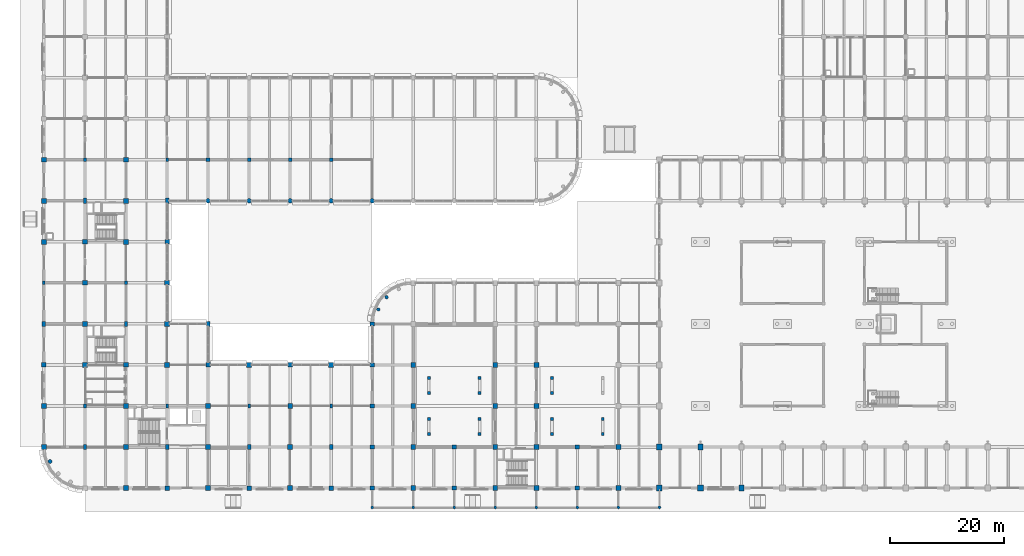
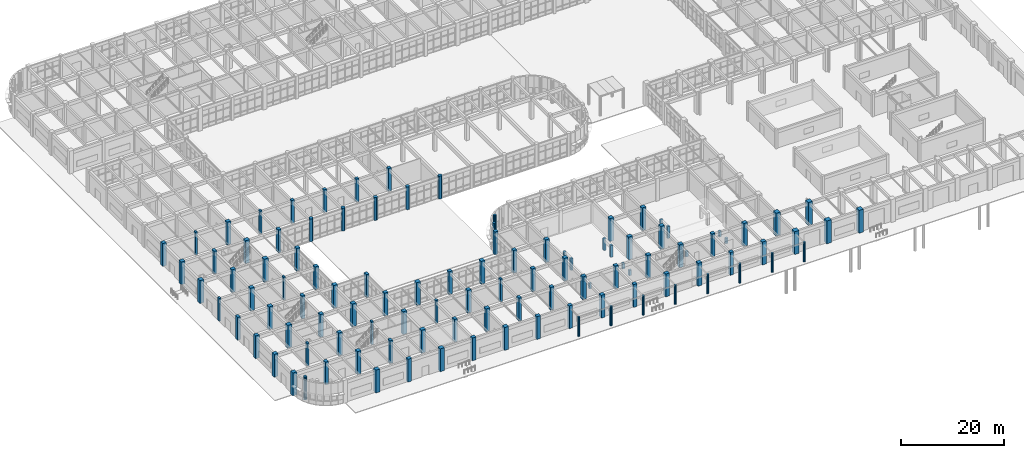
# One storey, part 3 of 160: 113 columns.
"""IFC4 building model written with IfcOpenShell, lengths in metres."""

import ifcopenshell
import ifcopenshell.guid

model = None  # the IFC model being written
_history = None  # IfcOwnerHistory: only IFC2X3 demands one
_inside = {}  # id of a spatial element -> (the spatial element, [elements in it])
_under = {}  # id of a project, library or spatial element -> (it, [spatial elements below it])
_declared = {}  # id of a project -> (the project, [libraries it declares])
_typed = {}  # id of a type object -> (the type object, [elements of that type])
_made_of = {}  # id of a material, layer set ... -> (it, [elements and type objects made of it])


def new_model(schema):
    """Start an empty IFC model of exactly this schema.

    Asked for "IFC4X3", IfcOpenShell would pick the latest addendum, in which some entities
    have other attributes; the version numbers below select the first issue.
    IFC2X3 requires an IfcOwnerHistory on every rooted entity: one is made here for all.
    """
    global model, _history
    if schema == "IFC4X3":
        model = ifcopenshell.file(schema_version=(4, 3, 0, 0))
    else:
        model = ifcopenshell.file(schema=schema)
    _inside.clear()
    _under.clear()
    _declared.clear()
    _typed.clear()
    _made_of.clear()
    _history = None
    if model.schema == "IFC2X3":
        org = make("IfcOrganization", Name="unknown")
        user = make(
            "IfcPersonAndOrganization",
            ThePerson=make("IfcPerson", FamilyName="unknown"),
            TheOrganization=org,
        )
        app = make(
            "IfcApplication",
            ApplicationDeveloper=org,
            Version="unknown",
            ApplicationFullName="unknown",
            ApplicationIdentifier="unknown",
        )
        _history = make(
            "IfcOwnerHistory",
            OwningUser=user,
            OwningApplication=app,
            ChangeAction="ADDED",
            CreationDate=0,
        )
    return model


def make(cls, **values):
    """One entity of the class cls with the attributes given. An attribute that is None is left unset."""
    return model.create_entity(
        cls, **{name: value for name, value in values.items() if value is not None}
    )


def rooted(cls, **values):
    """An entity with a GlobalId (a new one), such as an element, a storey or a relation."""
    return make(cls, GlobalId=ifcopenshell.guid.new(), OwnerHistory=_history, **values)


def si_unit(unit_type, name, prefix=None):
    """IfcSIUnit, for example si_unit("LENGTHUNIT", "METRE", prefix="MILLI")."""
    return make("IfcSIUnit", UnitType=unit_type, Prefix=prefix, Name=name)


def assignment(units):
    """IfcUnitAssignment: the units of a project."""
    return None if units is None else make("IfcUnitAssignment", Units=units)


def point(xyz):
    """IfcCartesianPoint."""
    return None if xyz is None else make("IfcCartesianPoint", Coordinates=xyz)


def direction(xyz):
    """IfcDirection."""
    return None if xyz is None else make("IfcDirection", DirectionRatios=xyz)


def frame(location, z_axis=None, x_axis=None):
    """IfcAxis2Placement3D, a coordinate frame: its origin and axes. An axis left out is left unset."""
    return make(
        "IfcAxis2Placement3D",
        Location=point(location),
        Axis=direction(z_axis),
        RefDirection=direction(x_axis),
    )


def frame_2d(location, x_axis=None):
    """IfcAxis2Placement2D, a coordinate frame in the plane: its origin and x axis."""
    return make(
        "IfcAxis2Placement2D", Location=point(location), RefDirection=direction(x_axis)
    )


def origin():
    """The frame at (0, 0, 0) with its axes left unset."""
    return frame((0.0, 0.0, 0.0))


def origin_2d():
    """The frame at (0, 0) in the plane with its x axis left unset."""
    return frame_2d((0.0, 0.0))


def place(relative_to, where):
    """IfcLocalPlacement: puts the frame where relative to a parent placement (None: the world)."""
    return make(
        "IfcLocalPlacement", PlacementRelTo=relative_to, RelativePlacement=where
    )


def context(
    kind, dimensions, precision=None, world=None, true_north=None, identifier=None
):
    """IfcGeometricRepresentationContext, for example the 3D "Model" context."""
    return make(
        "IfcGeometricRepresentationContext",
        ContextIdentifier=identifier,
        ContextType=kind,
        CoordinateSpaceDimension=dimensions,
        Precision=precision,
        WorldCoordinateSystem=world,
        TrueNorth=true_north,
    )


def subcontext(parent, identifier, kind, view, scale=None):
    """IfcGeometricRepresentationSubContext, for example "Body" below "Model"."""
    return make(
        "IfcGeometricRepresentationSubContext",
        ContextIdentifier=identifier,
        ContextType=kind,
        ParentContext=parent,
        TargetScale=scale,
        TargetView=view,
    )


def project(units=None, contexts=None):
    """IfcProject with its units and contexts."""
    return rooted(
        "IfcProject",
        Name="project",
        RepresentationContexts=contexts,
        UnitsInContext=assignment(units),
    )


def spatial(cls, under=None, at=None, **own):
    """A site, building, storey or space (cls), placed at a placement, below another one or the project."""
    s = rooted(cls, ObjectPlacement=at, **own)
    if under is not None:
        _under.setdefault(under.id(), (under, []))[1].append(s)
    return s


def profile(cls, at=None, kind="AREA", **sizes):
    """A parametric profile (cls). Its sizes go by their IFC names, for example OverallWidth=200.0."""
    return make(cls, ProfileType=kind, Position=at, **sizes)


def rectangle(**sizes):
    """IfcRectangleProfileDef."""
    return profile("IfcRectangleProfileDef", **sizes)


def circle(**sizes):
    """IfcCircleProfileDef."""
    return profile("IfcCircleProfileDef", **sizes)


def extrude(swept, where, along, depth):
    """IfcExtrudedAreaSolid: the profile swept, set in the frame where, extruded along a direction by depth."""
    return make(
        "IfcExtrudedAreaSolid",
        SweptArea=swept,
        Position=where,
        ExtrudedDirection=direction(along),
        Depth=depth,
    )


def shape(context_of_items, identifier, shape_type, items):
    """IfcShapeRepresentation: the items that make up one representation, for example the "Body"."""
    return make(
        "IfcShapeRepresentation",
        ContextOfItems=context_of_items,
        RepresentationIdentifier=identifier,
        RepresentationType=shape_type,
        Items=items,
    )


def material(Name=None, Category=None):
    """IfcMaterial."""
    return make("IfcMaterial", Name=Name, Category=Category)


def material_profile(
    of_material, cross_section, Name=None, Category=None, Priority=None
):
    """IfcMaterialProfile: a cross section and its material."""
    return make(
        "IfcMaterialProfile",
        Name=Name,
        Material=of_material,
        Profile=cross_section,
        Priority=Priority,
        Category=Category,
    )


def profile_set(profiles, Name=None, composite=None):
    """IfcMaterialProfileSet."""
    return make(
        "IfcMaterialProfileSet",
        Name=Name,
        MaterialProfiles=profiles,
        CompositeProfile=composite,
    )


def made_of(thing, what):
    """Note that an element or type object is made of a material, layer set ...; save() writes the relation."""
    if what is not None:
        _made_of.setdefault(what.id(), (what, []))[1].append(thing)
    return thing


def type_object(cls, material=None, **own):
    """A type object (cls), such as IfcWallType, which elements share."""
    return made_of(rooted(cls, **own), material)


def element(
    cls,
    number,
    at=None,
    inside=None,
    cuts=None,
    type_object=None,
    material=None,
    context=None,
    identifier="Body",
    shape_type=None,
    held_by="IfcProductDefinitionShape",
    body=None,
    shapes=None,
    **own,
):
    """One element of the class cls, such as IfcWall. Its Tag is "e" and its number.

    at: its placement. inside: the storey or other place that contains it. cuts: it is an
    opening in that element (IfcRelVoidsElement). A single representation is given by context,
    identifier, shape_type and body (its items); several are given by shapes. held_by: the class
    of the entity that holds the representations. save() writes the other relations.
    """
    e = rooted(cls, Tag="e%d" % number, ObjectPlacement=at, **own)
    if body is not None:
        shapes = [shape(context, identifier, shape_type, body)]
    if shapes is not None:
        e.Representation = make(held_by, Representations=shapes)
    if inside is not None:
        _inside.setdefault(inside.id(), (inside, []))[1].append(e)
    if cuts is not None:
        rooted(
            "IfcRelVoidsElement", RelatingBuildingElement=cuts, RelatedOpeningElement=e
        )
    if type_object is not None:
        _typed.setdefault(type_object.id(), (type_object, []))[1].append(e)
    return made_of(e, material)


def aggregate(whole, parts):
    """IfcRelAggregates: a whole, such as a stair, and the parts it consists of."""
    return rooted("IfcRelAggregates", RelatingObject=whole, RelatedObjects=parts)


def save(model, path):
    """Write the relations noted so far, then the file.

    IfcRelAggregates (storeys below a building ...), IfcRelContainedInSpatialStructure (elements
    in a storey), IfcRelDefinesByType, IfcRelAssociatesMaterial and IfcRelDeclares: one each for
    every whole, place, type object, material and project.
    """
    for whole, parts in _under.values():
        aggregate(whole, parts)
    for where, things in _inside.values():
        rooted(
            "IfcRelContainedInSpatialStructure",
            RelatedElements=things,
            RelatingStructure=where,
        )
    for kind, things in _typed.values():
        rooted("IfcRelDefinesByType", RelatedObjects=things, RelatingType=kind)
    for what, things in _made_of.values():
        rooted("IfcRelAssociatesMaterial", RelatedObjects=things, RelatingMaterial=what)
    for by, libraries in _declared.values():
        rooted("IfcRelDeclares", RelatingContext=by, RelatedDefinitions=libraries)
    model.write(path)


model = new_model("IFC4")

# Units and contexts
model_context = context("Model", 3, precision=1e-05, world=origin(), true_north=direction((0.0, 1.0)))
body_context = subcontext(model_context, "Body", "Model", "MODEL_VIEW")
ifc_project = project(units=[si_unit("LENGTHUNIT", "METRE"), si_unit("AREAUNIT", "SQUARE_METRE"), si_unit("VOLUMEUNIT", "CUBIC_METRE"), si_unit("PLANEANGLEUNIT", "RADIAN"), si_unit("MASSUNIT", "GRAM", prefix="KILO")], contexts=[model_context])

# Site, building, storey
site_placement = place(None, origin())
site = spatial("IfcSite", under=ifc_project, at=site_placement, CompositionType="ELEMENT")
building_placement = place(site_placement, origin())
building = spatial("IfcBuilding", under=site, at=building_placement, Name="Thalmaran Polytechnic", CompositionType="ELEMENT")
storey_placement = place(building_placement, origin())
storey = spatial("IfcBuildingStorey", under=building, at=storey_placement, Name="L00", CompositionType="ELEMENT", Elevation=0.0)

# Columns
ifc_material_1 = material(Name="Concrete C40/50", Category="concrete")
ifc_material_profile_1 = material_profile(ifc_material_1, circle(Radius=0.25, at=origin_2d()), Name="RC 500 DIA")
ifc_profile_set_1 = profile_set([ifc_material_profile_1], Name="Concrete C40/50")
column_type_1 = type_object("IfcColumnType", Name="COL-AC1", PredefinedType="COLUMN", material=ifc_profile_set_1)
for number, where, z_axis, x_axis, name in (
    (1, (57.60009765625, -3.39990234375, 0.0), (0.0, 0.0, 1.0), (1.0, 0.0, 0.0), "South Arcade Column S0"),
    (2, (64.800048828125, -3.39990234375, 0.0), (0.0, 0.0, 1.0), (1.0, 0.0, 0.0), "South Arcade Column S1"),
    (3, (72.0, -3.39990234375, 0.0), (0.0, 0.0, 1.0), (1.0, 0.0, 0.0), "South Arcade Column S2"),
    (4, (79.199951171875, -3.39990234375, 0.0), (0.0, 0.0, 1.0), (1.0, 0.0, 0.0), "South Arcade Column S3"),
    (5, (86.39990234375, -3.39990234375, 0.0), (0.0, 0.0, 1.0), (1.0, 0.0, 0.0), "South Arcade Column S4"),
    (6, (93.60009765625, -3.39990234375, 0.0), (0.0, 0.0, 1.0), (1.0, 0.0, 0.0), "South Arcade Column S5"),
    (7, (100.800048828125, -3.39990234375, 0.0), (0.0, 0.0, 1.0), (1.0, 0.0, 0.0), "South Arcade Column S6"),
    (8, (108.0, -3.39990234375, 0.0), (0.0, 0.0, 1.0), (1.0, 0.0, 0.0), "South Arcade Column S7"),
):
    element("IfcColumn", number, at=place(storey_placement, frame(where, z_axis=z_axis, x_axis=x_axis)), inside=storey, type_object=column_type_1, Name=name, PredefinedType="COLUMN", context=body_context, shape_type="SweptSolid", body=[
        extrude(circle(Radius=0.25, at=origin_2d()), origin(), (0.0, 0.0, 1.0), 4.60009765625),
    ])
ifc_material_2 = material(Name="Concrete C50/60", Category="concrete")
ifc_material_profile_2 = material_profile(ifc_material_2, rectangle(XDim=0.89990234375, YDim=0.89990234375, at=origin_2d()), Name="RC 900x900")
ifc_profile_set_2 = profile_set([ifc_material_profile_2], Name="Concrete C50/60")
column_type_2 = type_object("IfcColumnType", Name="COL-C01", PredefinedType="COLUMN", material=ifc_profile_set_2)
for number, where, z_axis, x_axis, name in (
    (9, (0.0, 43.199951171875, 0.0), (0.0, 0.0, 1.0), (1.0, 0.0, 0.0), "Column C01 L00 (0,6)"),
    (10, (7.199951171875, 21.60009765625, 0.0), (0.0, 0.0, 1.0), (1.0, 0.0, 0.0), "Column C01 L00 (1,3)"),
    (11, (14.39990234375, 0.0, 0.0), (0.0, 0.0, 1.0), (1.0, 0.0, 0.0), "Column C01 L00 (2,0)"),
    (12, (14.39990234375, 43.199951171875, 0.0), (0.0, 0.0, 1.0), (1.0, 0.0, 0.0), "Column C01 L00 (2,6)"),
    (13, (21.60009765625, 21.60009765625, 0.0), (0.0, 0.0, 1.0), (1.0, 0.0, 0.0), "Column C01 L00 (3,3)"),
    (14, (28.800048828125, 0.0, 0.0), (0.0, 0.0, 1.0), (1.0, 0.0, 0.0), "Column C01 L00 (4,0)"),
    (15, (36.0, 21.60009765625, 0.0), (0.0, 0.0, 1.0), (1.0, 0.0, 0.0), "Column C01 L00 (5,3)"),
    (16, (43.199951171875, 0.0, 0.0), (0.0, 0.0, 1.0), (1.0, 0.0, 0.0), "Column C01 L00 (6,0)"),
    (17, (50.39990234375, 21.60009765625, 0.0), (0.0, 0.0, 1.0), (1.0, 0.0, 0.0), "Column C01 L00 (7,3)"),
):
    element("IfcColumn", number, at=place(storey_placement, frame(where, z_axis=z_axis, x_axis=x_axis)), inside=storey, type_object=column_type_2, Name=name, PredefinedType="COLUMN", context=body_context, shape_type="SweptSolid", body=[
        extrude(rectangle(XDim=0.89990234375, YDim=0.89990234375, at=origin_2d()), origin(), (0.0, 0.0, 1.0), 5.39990234375),
    ])
ifc_material_profile_3 = material_profile(ifc_material_2, rectangle(XDim=0.85009765625, YDim=0.85009765625, at=origin_2d()), Name="RC 850x850")
ifc_profile_set_3 = profile_set([ifc_material_profile_3], Name="Concrete C50/60")
column_type_3 = type_object("IfcColumnType", Name="COL-C02", PredefinedType="COLUMN", material=ifc_profile_set_3)
for number, where, z_axis, x_axis, name in (
    (18, (64.800048828125, 0.0, 0.0), (0.0, 0.0, 1.0), (1.0, 0.0, 0.0), "Column C02 L00 (9,0)"),
    (19, (64.800048828125, 7.199951171875, 0.0), (0.0, 0.0, 1.0), (1.0, 0.0, 0.0), "Column C02 L00 (9,1)"),
    (20, (64.800048828125, 14.39990234375, 0.0), (0.0, 0.0, 1.0), (1.0, 0.0, 0.0), "Column C02 L00 (9,2)"),
    (21, (64.800048828125, 21.60009765625, 0.0), (0.0, 0.0, 1.0), (1.0, 0.0, 0.0), "Column C02 L00 (9,3)"),
    (22, (79.199951171875, 0.0, 0.0), (0.0, 0.0, 1.0), (1.0, 0.0, 0.0), "Column C02 L00 (11,0)"),
    (23, (79.199951171875, 7.199951171875, 0.0), (0.0, 0.0, 1.0), (1.0, 0.0, 0.0), "Column C02 L00 (11,1)"),
    (24, (79.199951171875, 14.39990234375, 0.0), (0.0, 0.0, 1.0), (1.0, 0.0, 0.0), "Column C02 L00 (11,2)"),
    (25, (79.199951171875, 21.60009765625, 0.0), (0.0, 0.0, 1.0), (1.0, 0.0, 0.0), "Column C02 L00 (11,3)"),
    (26, (86.39990234375, 0.0, 0.0), (0.0, 0.0, 1.0), (1.0, 0.0, 0.0), "Column C02 L00 (12,0)"),
    (27, (86.39990234375, 7.199951171875, 0.0), (0.0, 0.0, 1.0), (1.0, 0.0, 0.0), "Column C02 L00 (12,1)"),
    (28, (86.39990234375, 14.39990234375, 0.0), (0.0, 0.0, 1.0), (1.0, 0.0, 0.0), "Column C02 L00 (12,2)"),
    (29, (86.39990234375, 21.60009765625, 0.0), (0.0, 0.0, 1.0), (1.0, 0.0, 0.0), "Column C02 L00 (12,3)"),
    (30, (100.800048828125, 0.0, 0.0), (0.0, 0.0, 1.0), (1.0, 0.0, 0.0), "Column C02 L00 (14,0)"),
    (31, (100.800048828125, 7.199951171875, 0.0), (0.0, 0.0, 1.0), (1.0, 0.0, 0.0), "Column C02 L00 (14,1)"),
):
    element("IfcColumn", number, at=place(storey_placement, frame(where, z_axis=z_axis, x_axis=x_axis)), inside=storey, type_object=column_type_3, Name=name, PredefinedType="COLUMN", context=body_context, shape_type="SweptSolid", body=[
        extrude(rectangle(XDim=0.85009765625, YDim=0.85009765625, at=origin_2d()), origin(), (0.0, 0.0, 1.0), 5.39990234375),
    ])
ifc_material_profile_4 = material_profile(ifc_material_2, rectangle(XDim=0.800048828125, YDim=0.800048828125, at=origin_2d()), Name="RC 800x800")
ifc_profile_set_4 = profile_set([ifc_material_profile_4], Name="Concrete C50/60")
column_type_4 = type_object("IfcColumnType", Name="COL-C03", PredefinedType="COLUMN", material=ifc_profile_set_4)
for number, where, z_axis, x_axis, name in (
    (32, (0.0, 21.60009765625, 0.0), (0.0, 0.0, 1.0), (1.0, 0.0, 0.0), "Column C03 L00 (0,3)"),
    (33, (7.199951171875, 43.199951171875, 0.0), (0.0, 0.0, 1.0), (1.0, 0.0, 0.0), "Column C03 L00 (1,6)"),
    (34, (14.39990234375, 21.60009765625, 0.0), (0.0, 0.0, 1.0), (1.0, 0.0, 0.0), "Column C03 L00 (2,3)"),
    (35, (21.60009765625, 0.0, 0.0), (0.0, 0.0, 1.0), (1.0, 0.0, 0.0), "Column C03 L00 (3,0)"),
    (36, (21.60009765625, 43.199951171875, 0.0), (0.0, 0.0, 1.0), (1.0, 0.0, 0.0), "Column C03 L00 (3,6)"),
    (37, (28.800048828125, 21.60009765625, 0.0), (0.0, 0.0, 1.0), (1.0, 0.0, 0.0), "Column C03 L00 (4,3)"),
    (38, (36.0, 0.0, 0.0), (0.0, 0.0, 1.0), (1.0, 0.0, 0.0), "Column C03 L00 (5,0)"),
    (39, (43.199951171875, 21.60009765625, 0.0), (0.0, 0.0, 1.0), (1.0, 0.0, 0.0), "Column C03 L00 (6,3)"),
    (40, (50.39990234375, 0.0, 0.0), (0.0, 0.0, 1.0), (1.0, 0.0, 0.0), "Column C03 L00 (7,0)"),
):
    element("IfcColumn", number, at=place(storey_placement, frame(where, z_axis=z_axis, x_axis=x_axis)), inside=storey, type_object=column_type_4, Name=name, PredefinedType="COLUMN", context=body_context, shape_type="SweptSolid", body=[
        extrude(rectangle(XDim=0.800048828125, YDim=0.800048828125, at=origin_2d()), origin(), (0.0, 0.0, 1.0), 5.39990234375),
    ])
ifc_material_profile_5 = material_profile(ifc_material_2, rectangle(XDim=0.75, YDim=0.75, at=origin_2d()), Name="RC 750x750")
ifc_profile_set_5 = profile_set([ifc_material_profile_5], Name="Concrete C50/60")
column_type_5 = type_object("IfcColumnType", Name="COL-C04", PredefinedType="COLUMN", material=ifc_profile_set_5)
for number, where, z_axis, x_axis, name in (
    (41, (57.60009765625, 0.0, 0.0), (0.0, 0.0, 1.0), (1.0, 0.0, 0.0), "Column C04 L00 (8,0)"),
    (42, (57.60009765625, 7.199951171875, 0.0), (0.0, 0.0, 1.0), (1.0, 0.0, 0.0), "Column C04 L00 (8,1)"),
    (43, (57.60009765625, 14.39990234375, 0.0), (0.0, 0.0, 1.0), (1.0, 0.0, 0.0), "Column C04 L00 (8,2)"),
    (44, (57.60009765625, 21.60009765625, 0.0), (0.0, 0.0, 1.0), (1.0, 0.0, 0.0), "Column C04 L00 (8,3)"),
    (45, (57.60009765625, 28.800048828125, 0.0), (0.0, 0.0, 1.0), (1.0, 0.0, 0.0), "Column C04 L00 (8,4)"),
    (46, (72.0, 0.0, 0.0), (0.0, 0.0, 1.0), (1.0, 0.0, 0.0), "Column C04 L00 (10,0)"),
    (47, (72.0, 7.199951171875, 0.0), (0.0, 0.0, 1.0), (1.0, 0.0, 0.0), "Column C04 L00 (10,1)"),
    (48, (93.60009765625, 0.0, 0.0), (0.0, 0.0, 1.0), (1.0, 0.0, 0.0), "Column C04 L00 (13,0)"),
    (49, (93.60009765625, 7.199951171875, 0.0), (0.0, 0.0, 1.0), (1.0, 0.0, 0.0), "Column C04 L00 (13,1)"),
):
    element("IfcColumn", number, at=place(storey_placement, frame(where, z_axis=z_axis, x_axis=x_axis)), inside=storey, type_object=column_type_5, Name=name, PredefinedType="COLUMN", context=body_context, shape_type="SweptSolid", body=[
        extrude(rectangle(XDim=0.75, YDim=0.75, at=origin_2d()), origin(), (0.0, 0.0, 1.0), 5.39990234375),
    ])
ifc_material_profile_6 = material_profile(ifc_material_1, rectangle(XDim=0.64990234375, YDim=0.64990234375, at=origin_2d()), Name="RC 650x650")
ifc_profile_set_6 = profile_set([ifc_material_profile_6], Name="Concrete C40/50")
column_type_6 = type_object("IfcColumnType", Name="COL-C06", PredefinedType="COLUMN", material=ifc_profile_set_6)
for number, where, z_axis, x_axis, name in (
    (50, (28.800048828125, 57.60009765625, 0.0), (0.0, 0.0, 1.0), (1.0, 0.0, 0.0), "Column C06 L00 (4,8)"),
    (51, (36.0, 57.60009765625, 0.0), (0.0, 0.0, 1.0), (1.0, 0.0, 0.0), "Column C06 L00 (5,8)"),
    (52, (43.199951171875, 57.60009765625, 0.0), (0.0, 0.0, 1.0), (1.0, 0.0, 0.0), "Column C06 L00 (6,8)"),
    (53, (50.39990234375, 57.60009765625, 0.0), (0.0, 0.0, 1.0), (1.0, 0.0, 0.0), "Column C06 L00 (7,8)"),
):
    element("IfcColumn", number, at=place(storey_placement, frame(where, z_axis=z_axis, x_axis=x_axis)), inside=storey, type_object=column_type_6, Name=name, PredefinedType="COLUMN", context=body_context, shape_type="SweptSolid", body=[
        extrude(rectangle(XDim=0.64990234375, YDim=0.64990234375, at=origin_2d()), origin(), (0.0, 0.0, 1.0), 5.39990234375),
    ])
ifc_material_profile_7 = material_profile(ifc_material_1, rectangle(XDim=0.5, YDim=0.5, at=origin_2d()), Name="RC 500x500")
ifc_profile_set_7 = profile_set([ifc_material_profile_7], Name="Concrete C40/50")
column_type_7 = type_object("IfcColumnType", Name="COL-C09", PredefinedType="COLUMN", material=ifc_profile_set_7)
for number, where, z_axis, x_axis, name in (
    (54, (67.550048828125, 9.5, 0.0), (0.0, 0.0, 1.0), (1.0, 0.0, 0.0), "Lecture Under-Tier Pier 1-1"),
    (55, (67.550048828125, 12.10009765625, 0.0), (0.0, 0.0, 1.0), (1.0, 0.0, 0.0), "Lecture Under-Tier Pier 1-1"),
    (56, (76.449951171875, 9.5, 0.0), (0.0, 0.0, 1.0), (1.0, 0.0, 0.0), "Lecture Under-Tier Pier 1-1"),
    (57, (76.449951171875, 12.10009765625, 0.0), (0.0, 0.0, 1.0), (1.0, 0.0, 0.0), "Lecture Under-Tier Pier 1-1"),
):
    element("IfcColumn", number, at=place(storey_placement, frame(where, z_axis=z_axis, x_axis=x_axis)), inside=storey, type_object=column_type_7, Name=name, PredefinedType="COLUMN", context=body_context, shape_type="SweptSolid", body=[
        extrude(rectangle(XDim=0.5, YDim=0.5, at=origin_2d()), origin(), (0.0, 0.0, 1.0), 1.27001953125),
    ])
for number, where, z_axis, x_axis, name in (
    (58, (67.550048828125, 16.699951171875, 0.0), (0.0, 0.0, 1.0), (1.0, 0.0, 0.0), "Lecture Under-Tier Pier 1-2"),
    (59, (67.550048828125, 19.300048828125, 0.0), (0.0, 0.0, 1.0), (1.0, 0.0, 0.0), "Lecture Under-Tier Pier 1-2"),
    (60, (76.449951171875, 16.699951171875, 0.0), (0.0, 0.0, 1.0), (1.0, 0.0, 0.0), "Lecture Under-Tier Pier 1-2"),
    (61, (76.449951171875, 19.300048828125, 0.0), (0.0, 0.0, 1.0), (1.0, 0.0, 0.0), "Lecture Under-Tier Pier 1-2"),
):
    element("IfcColumn", number, at=place(storey_placement, frame(where, z_axis=z_axis, x_axis=x_axis)), inside=storey, type_object=column_type_7, Name=name, PredefinedType="COLUMN", context=body_context, shape_type="SweptSolid", body=[
        extrude(rectangle(XDim=0.5, YDim=0.5, at=origin_2d()), origin(), (0.0, 0.0, 1.0), 2.77001953125),
    ])
for number, where, z_axis, x_axis, name in (
    (62, (89.14990234375, 9.5, 0.0), (0.0, 0.0, 1.0), (1.0, 0.0, 0.0), "Lecture Under-Tier Pier 2-1"),
    (63, (89.14990234375, 12.10009765625, 0.0), (0.0, 0.0, 1.0), (1.0, 0.0, 0.0), "Lecture Under-Tier Pier 2-1"),
    (64, (98.050048828125, 9.5, 0.0), (0.0, 0.0, 1.0), (1.0, 0.0, 0.0), "Lecture Under-Tier Pier 2-1"),
    (65, (98.050048828125, 12.10009765625, 0.0), (0.0, 0.0, 1.0), (1.0, 0.0, 0.0), "Lecture Under-Tier Pier 2-1"),
):
    element("IfcColumn", number, at=place(storey_placement, frame(where, z_axis=z_axis, x_axis=x_axis)), inside=storey, type_object=column_type_7, Name=name, PredefinedType="COLUMN", context=body_context, shape_type="SweptSolid", body=[
        extrude(rectangle(XDim=0.5, YDim=0.5, at=origin_2d()), origin(), (0.0, 0.0, 1.0), 1.27001953125),
    ])
for number, where, z_axis, x_axis, name in (
    (66, (89.14990234375, 16.699951171875, 0.0), (0.0, 0.0, 1.0), (1.0, 0.0, 0.0), "Lecture Under-Tier Pier 2-2"),
    (67, (89.14990234375, 19.300048828125, 0.0), (0.0, 0.0, 1.0), (1.0, 0.0, 0.0), "Lecture Under-Tier Pier 2-2"),
):
    element("IfcColumn", number, at=place(storey_placement, frame(where, z_axis=z_axis, x_axis=x_axis)), inside=storey, type_object=column_type_7, Name=name, PredefinedType="COLUMN", context=body_context, shape_type="SweptSolid", body=[
        extrude(rectangle(XDim=0.5, YDim=0.5, at=origin_2d()), origin(), (0.0, 0.0, 1.0), 2.77001953125),
    ])
ifc_material_profile_8 = material_profile(ifc_material_2, rectangle(XDim=0.60009765625, YDim=0.89990234375, at=origin_2d()), Name="RC 600x900")
ifc_profile_set_8 = profile_set([ifc_material_profile_8], Name="Concrete C50/60")
column_type_8 = type_object("IfcColumnType", Name="COL-C11", PredefinedType="COLUMN", material=ifc_profile_set_8)
for number, where, z_axis, x_axis, name in (
    (68, (0.0, 28.800048828125, 0.0), (0.0, 0.0, 1.0), (1.0, 0.0, 0.0), "Column C11 L00 (0,4)"),
    (69, (7.199951171875, 7.199951171875, 0.0), (0.0, 0.0, 1.0), (1.0, 0.0, 0.0), "Column C11 L00 (1,1)"),
    (70, (7.199951171875, 50.39990234375, 0.0), (0.0, 0.0, 1.0), (1.0, 0.0, 0.0), "Column C11 L00 (1,7)"),
    (71, (14.39990234375, 28.800048828125, 0.0), (0.0, 0.0, 1.0), (1.0, 0.0, 0.0), "Column C11 L00 (2,4)"),
    (72, (21.60009765625, 7.199951171875, 0.0), (0.0, 0.0, 1.0), (1.0, 0.0, 0.0), "Column C11 L00 (3,1)"),
    (73, (21.60009765625, 50.39990234375, 0.0), (0.0, 0.0, 1.0), (1.0, 0.0, 0.0), "Column C11 L00 (3,7)"),
    (74, (28.800048828125, 28.800048828125, 0.0), (0.0, 0.0, 1.0), (1.0, 0.0, 0.0), "Column C11 L00 (4,4)"),
    (75, (36.0, 7.199951171875, 0.0), (0.0, 0.0, 1.0), (1.0, 0.0, 0.0), "Column C11 L00 (5,1)"),
    (76, (50.39990234375, 7.199951171875, 0.0), (0.0, 0.0, 1.0), (1.0, 0.0, 0.0), "Column C11 L00 (7,1)"),
):
    element("IfcColumn", number, at=place(storey_placement, frame(where, z_axis=z_axis, x_axis=x_axis)), inside=storey, type_object=column_type_8, Name=name, PredefinedType="COLUMN", context=body_context, shape_type="SweptSolid", body=[
        extrude(rectangle(XDim=0.60009765625, YDim=0.89990234375, at=origin_2d()), origin(), (0.0, 0.0, 1.0), 5.39990234375),
    ])
ifc_material_profile_9 = material_profile(ifc_material_2, circle(Radius=0.39990234375, at=origin_2d()), Name="RC 800 DIA")
ifc_profile_set_9 = profile_set([ifc_material_profile_9], Name="Concrete C50/60")
column_type_9 = type_object("IfcColumnType", Name="COL-C14", PredefinedType="COLUMN", material=ifc_profile_set_9)
for number, where, z_axis, x_axis, name in (
    (77, (28.800048828125, 50.39990234375, 0.0), (0.0, 0.0, 1.0), (1.0, 0.0, 0.0), "Column C14 L00 (4,7)"),
    (78, (36.0, 50.39990234375, 0.0), (0.0, 0.0, 1.0), (1.0, 0.0, 0.0), "Column C14 L00 (5,7)"),
    (79, (43.199951171875, 50.39990234375, 0.0), (0.0, 0.0, 1.0), (1.0, 0.0, 0.0), "Column C14 L00 (6,7)"),
    (80, (50.39990234375, 50.39990234375, 0.0), (0.0, 0.0, 1.0), (1.0, 0.0, 0.0), "Column C14 L00 (7,7)"),
    (81, (57.60009765625, 50.39990234375, 0.0), (0.0, 0.0, 1.0), (1.0, 0.0, 0.0), "Column C14 L00 (8,7)"),
):
    element("IfcColumn", number, at=place(storey_placement, frame(where, z_axis=z_axis, x_axis=x_axis)), inside=storey, type_object=column_type_9, Name=name, PredefinedType="COLUMN", context=body_context, shape_type="SweptSolid", body=[
        extrude(circle(Radius=0.39990234375, at=origin_2d()), origin(), (0.0, 0.0, 1.0), 5.39990234375),
    ])
ifc_material_profile_10 = material_profile(ifc_material_1, circle(Radius=0.35009765625, at=origin_2d()), Name="RC 700 DIA")
ifc_profile_set_10 = profile_set([ifc_material_profile_10], Name="Concrete C40/50")
column_type_10 = type_object("IfcColumnType", Name="COL-C15", PredefinedType="COLUMN", material=ifc_profile_set_10)
column_1_placement = place(storey_placement, frame((1.083984375, 4.666748046875, 0.0), z_axis=(0.0, 0.0, 1.0), x_axis=(1.0, 0.0, 0.0)))
element("IfcColumn", 82, at=column_1_placement, inside=storey, type_object=column_type_10, Name="Prow Column SWP1 L00", PredefinedType="COLUMN", context=body_context, shape_type="SweptSolid", body=[
    extrude(circle(Radius=0.35009765625, at=origin_2d()), origin(), (0.0, 0.0, 1.0), 5.39990234375),
])
ifc_material_profile_11 = material_profile(ifc_material_1, circle(Radius=0.300048828125, at=origin_2d()), Name="RC 600 DIA")
ifc_profile_set_11 = profile_set([ifc_material_profile_11], Name="Concrete C40/50")
column_type_11 = type_object("IfcColumnType", Name="COL-C16", PredefinedType="COLUMN", material=ifc_profile_set_11)
for number, where, z_axis, x_axis, name in (
    (83, (60.118896484375, 33.48095703125, 0.0), (0.0, 0.0, 1.0), (1.0, 0.0, 0.0), "Prow Column LTP2 L00"),
    (84, (58.683837890625, 31.333251953125, 0.0), (0.0, 0.0, 1.0), (1.0, 0.0, 0.0), "Prow Column LTP3 L00"),
):
    element("IfcColumn", number, at=place(storey_placement, frame(where, z_axis=z_axis, x_axis=x_axis)), inside=storey, type_object=column_type_11, Name=name, PredefinedType="COLUMN", context=body_context, shape_type="SweptSolid", body=[
        extrude(circle(Radius=0.300048828125, at=origin_2d()), origin(), (0.0, 0.0, 1.0), 5.39990234375),
    ])
ifc_material_profile_12 = material_profile(ifc_material_1, rectangle(XDim=0.449951171875, YDim=0.64990234375, at=origin_2d()), Name="RC 450x650")
ifc_profile_set_12 = profile_set([ifc_material_profile_12], Name="Concrete C40/50")
column_type_12 = type_object("IfcColumnType", Name="COL-PL1", PredefinedType="PILASTER", material=ifc_profile_set_12)
for number, where, z_axis, x_axis, name in (
    (85, (0.0, 36.0, 0.0), (0.0, 0.0, 1.0), (1.0, 0.0, 0.0), "Column PL1 L00 (0,5)"),
    (86, (7.199951171875, 14.39990234375, 0.0), (0.0, 0.0, 1.0), (1.0, 0.0, 0.0), "Column PL1 L00 (1,2)"),
    (87, (7.199951171875, 57.60009765625, 0.0), (0.0, 0.0, 1.0), (1.0, 0.0, 0.0), "Column PL1 L00 (1,8)"),
    (88, (14.39990234375, 36.0, 0.0), (0.0, 0.0, 1.0), (1.0, 0.0, 0.0), "Column PL1 L00 (2,5)"),
    (89, (21.60009765625, 14.39990234375, 0.0), (0.0, 0.0, 1.0), (1.0, 0.0, 0.0), "Column PL1 L00 (3,2)"),
    (90, (21.60009765625, 57.60009765625, 0.0), (0.0, 0.0, 1.0), (1.0, 0.0, 0.0), "Column PL1 L00 (3,8)"),
    (91, (36.0, 14.39990234375, 0.0), (0.0, 0.0, 1.0), (1.0, 0.0, 0.0), "Column PL1 L00 (5,2)"),
    (92, (50.39990234375, 14.39990234375, 0.0), (0.0, 0.0, 1.0), (1.0, 0.0, 0.0), "Column PL1 L00 (7,2)"),
):
    element("IfcColumn", number, at=place(storey_placement, frame(where, z_axis=z_axis, x_axis=x_axis)), inside=storey, type_object=column_type_12, Name=name, PredefinedType="PILASTER", context=body_context, shape_type="SweptSolid", body=[
        extrude(rectangle(XDim=0.449951171875, YDim=0.64990234375, at=origin_2d()), origin(), (0.0, 0.0, 1.0), 5.39990234375),
    ])
ifc_material_profile_13 = material_profile(ifc_material_2, rectangle(XDim=1.0, YDim=1.0, at=origin_2d()), Name="RC 1000x1000")
ifc_profile_set_13 = profile_set([ifc_material_profile_13], Name="Concrete C50/60")
column_type_13 = type_object("IfcColumnType", Name="COL-WP1", PredefinedType="COLUMN", material=ifc_profile_set_13)
column_2_placement = place(storey_placement, frame((115.199951171875, 0.0, 0.0), z_axis=(0.0, 0.0, 1.0), x_axis=(1.0, 0.0, 0.0)))
element("IfcColumn", 93, at=column_2_placement, inside=storey, type_object=column_type_13, Name="Column WP1 L00 (16,0)", PredefinedType="COLUMN", context=body_context, shape_type="SweptSolid", body=[
    extrude(rectangle(XDim=1.0, YDim=1.0, at=origin_2d()), origin(), (0.0, 0.0, 1.0), 5.39990234375),
])
ifc_material_profile_14 = material_profile(ifc_material_2, rectangle(XDim=0.949951171875, YDim=1.050048828125, at=origin_2d()), Name="RC 950x1050")
ifc_profile_set_14 = profile_set([ifc_material_profile_14], Name="Concrete C50/60")
column_type_14 = type_object("IfcColumnType", Name="COL-WP2", PredefinedType="COLUMN", material=ifc_profile_set_14)
for number, where, z_axis, x_axis, name in (
    (94, (108.0, 0.0, 0.0), (0.0, 0.0, 1.0), (1.0, 0.0, 0.0), "Column WP2 L00 (15,0)"),
    (95, (108.0, 7.199951171875, 0.0), (0.0, 0.0, 1.0), (1.0, 0.0, 0.0), "Column WP2 L00 (15,1)"),
    (96, (115.199951171875, 7.199951171875, 0.0), (0.0, 0.0, 1.0), (1.0, 0.0, 0.0), "Column WP2 L00 (16,1)"),
    (97, (122.39990234375, 0.0, 0.0), (0.0, 0.0, 1.0), (1.0, 0.0, 0.0), "Column WP2 L00 (17,0)"),
):
    element("IfcColumn", number, at=place(storey_placement, frame(where, z_axis=z_axis, x_axis=x_axis)), inside=storey, type_object=column_type_14, Name=name, PredefinedType="COLUMN", context=body_context, shape_type="SweptSolid", body=[
        extrude(rectangle(XDim=0.949951171875, YDim=1.050048828125, at=origin_2d()), origin(), (0.0, 0.0, 1.0), 5.39990234375),
    ])
ifc_material_profile_15 = material_profile(ifc_material_2, rectangle(XDim=0.8798828125, YDim=0.8798828125, at=origin_2d()), Name="RC 880x880")
ifc_profile_set_15 = profile_set([ifc_material_profile_15], Name="Concrete C50/60")
column_type_15 = type_object("IfcColumnType", Name="COL-ZC01", PredefinedType="COLUMN", material=ifc_profile_set_15)
for number, where, z_axis, x_axis, name in (
    (98, (0.0, 7.199951171875, 0.0), (0.0, 0.0, 1.0), (1.0, 0.0, 0.0), "Column ZC01 L00 (0,1)"),
    (99, (0.0, 50.39990234375, 0.0), (0.0, 0.0, 1.0), (1.0, 0.0, 0.0), "Column ZC01 L00 (0,7)"),
    (100, (7.199951171875, 28.800048828125, 0.0), (0.0, 0.0, 1.0), (1.0, 0.0, 0.0), "Column ZC01 L00 (1,4)"),
    (101, (14.39990234375, 7.199951171875, 0.0), (0.0, 0.0, 1.0), (1.0, 0.0, 0.0), "Column ZC01 L00 (2,1)"),
    (102, (14.39990234375, 50.39990234375, 0.0), (0.0, 0.0, 1.0), (1.0, 0.0, 0.0), "Column ZC01 L00 (2,7)"),
    (103, (21.60009765625, 28.800048828125, 0.0), (0.0, 0.0, 1.0), (1.0, 0.0, 0.0), "Column ZC01 L00 (3,4)"),
    (104, (28.800048828125, 7.199951171875, 0.0), (0.0, 0.0, 1.0), (1.0, 0.0, 0.0), "Column ZC01 L00 (4,1)"),
    (105, (43.199951171875, 7.199951171875, 0.0), (0.0, 0.0, 1.0), (1.0, 0.0, 0.0), "Column ZC01 L00 (6,1)"),
):
    element("IfcColumn", number, at=place(storey_placement, frame(where, z_axis=z_axis, x_axis=x_axis)), inside=storey, type_object=column_type_15, Name=name, PredefinedType="COLUMN", context=body_context, shape_type="SweptSolid", body=[
        extrude(rectangle(XDim=0.8798828125, YDim=0.8798828125, at=origin_2d()), origin(), (0.0, 0.0, 1.0), 5.39990234375),
    ])
ifc_material_profile_16 = material_profile(ifc_material_2, rectangle(XDim=0.820068359375, YDim=0.820068359375, at=origin_2d()), Name="RC 820x820")
ifc_profile_set_16 = profile_set([ifc_material_profile_16], Name="Concrete C50/60")
column_type_16 = type_object("IfcColumnType", Name="COL-ZC02", PredefinedType="COLUMN", material=ifc_profile_set_16)
for number, where, z_axis, x_axis, name in (
    (106, (0.0, 14.39990234375, 0.0), (0.0, 0.0, 1.0), (1.0, 0.0, 0.0), "Column ZC02 L00 (0,2)"),
    (107, (0.0, 57.60009765625, 0.0), (0.0, 0.0, 1.0), (1.0, 0.0, 0.0), "Column ZC02 L00 (0,8)"),
    (108, (7.199951171875, 36.0, 0.0), (0.0, 0.0, 1.0), (1.0, 0.0, 0.0), "Column ZC02 L00 (1,5)"),
    (109, (14.39990234375, 14.39990234375, 0.0), (0.0, 0.0, 1.0), (1.0, 0.0, 0.0), "Column ZC02 L00 (2,2)"),
    (110, (14.39990234375, 57.60009765625, 0.0), (0.0, 0.0, 1.0), (1.0, 0.0, 0.0), "Column ZC02 L00 (2,8)"),
    (111, (21.60009765625, 36.0, 0.0), (0.0, 0.0, 1.0), (1.0, 0.0, 0.0), "Column ZC02 L00 (3,5)"),
    (112, (28.800048828125, 14.39990234375, 0.0), (0.0, 0.0, 1.0), (1.0, 0.0, 0.0), "Column ZC02 L00 (4,2)"),
    (113, (43.199951171875, 14.39990234375, 0.0), (0.0, 0.0, 1.0), (1.0, 0.0, 0.0), "Column ZC02 L00 (6,2)"),
):
    element("IfcColumn", number, at=place(storey_placement, frame(where, z_axis=z_axis, x_axis=x_axis)), inside=storey, type_object=column_type_16, Name=name, PredefinedType="COLUMN", context=body_context, shape_type="SweptSolid", body=[
        extrude(rectangle(XDim=0.820068359375, YDim=0.820068359375, at=origin_2d()), origin(), (0.0, 0.0, 1.0), 5.39990234375),
    ])

save(model, "model.ifc")
